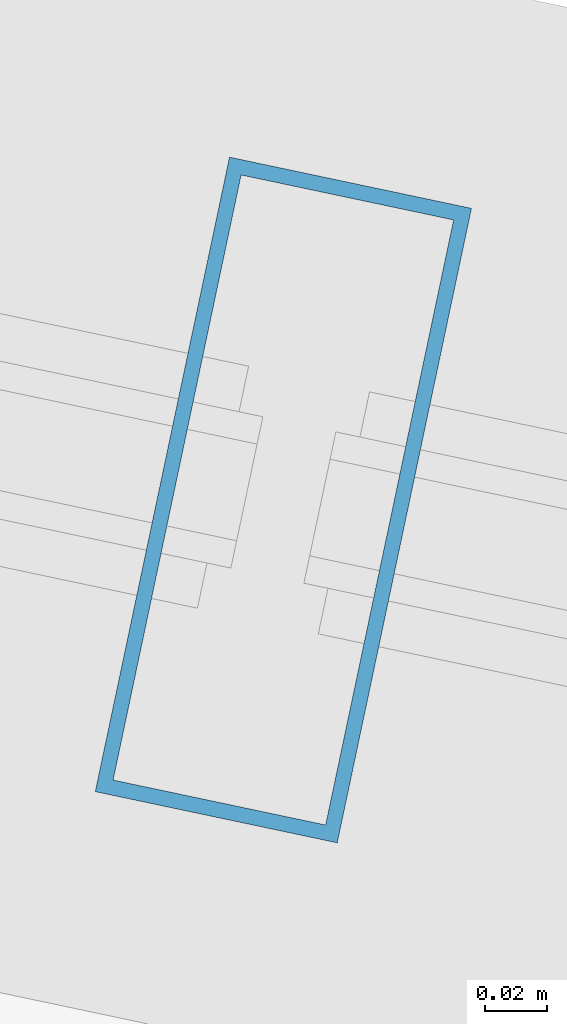
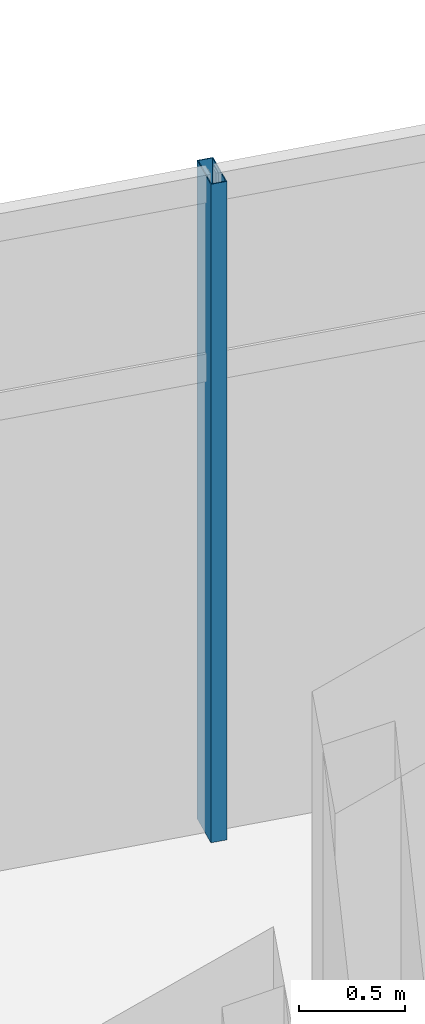
# One storey, part 117 of 171: 1 member, 1 element without a shape of its own.
"""IFC4 building model written with IfcOpenShell, lengths in metres."""

import ifcopenshell
import ifcopenshell.guid

model = None  # the IFC model being written
_history = None  # IfcOwnerHistory: only IFC2X3 demands one
_inside = {}  # id of a spatial element -> (the spatial element, [elements in it])
_under = {}  # id of a project, library or spatial element -> (it, [spatial elements below it])
_declared = {}  # id of a project -> (the project, [libraries it declares])
_typed = {}  # id of a type object -> (the type object, [elements of that type])
_made_of = {}  # id of a material, layer set ... -> (it, [elements and type objects made of it])


def new_model(schema):
    """Start an empty IFC model of exactly this schema.

    Asked for "IFC4X3", IfcOpenShell would pick the latest addendum, in which some entities
    have other attributes; the version numbers below select the first issue.
    IFC2X3 requires an IfcOwnerHistory on every rooted entity: one is made here for all.
    """
    global model, _history
    if schema == "IFC4X3":
        model = ifcopenshell.file(schema_version=(4, 3, 0, 0))
    else:
        model = ifcopenshell.file(schema=schema)
    _inside.clear()
    _under.clear()
    _declared.clear()
    _typed.clear()
    _made_of.clear()
    _history = None
    if model.schema == "IFC2X3":
        org = make("IfcOrganization", Name="unknown")
        user = make(
            "IfcPersonAndOrganization",
            ThePerson=make("IfcPerson", FamilyName="unknown"),
            TheOrganization=org,
        )
        app = make(
            "IfcApplication",
            ApplicationDeveloper=org,
            Version="unknown",
            ApplicationFullName="unknown",
            ApplicationIdentifier="unknown",
        )
        _history = make(
            "IfcOwnerHistory",
            OwningUser=user,
            OwningApplication=app,
            ChangeAction="ADDED",
            CreationDate=0,
        )
    return model


def make(cls, **values):
    """One entity of the class cls with the attributes given. An attribute that is None is left unset."""
    return model.create_entity(
        cls, **{name: value for name, value in values.items() if value is not None}
    )


def rooted(cls, **values):
    """An entity with a GlobalId (a new one), such as an element, a storey or a relation."""
    return make(cls, GlobalId=ifcopenshell.guid.new(), OwnerHistory=_history, **values)


def si_unit(unit_type, name, prefix=None):
    """IfcSIUnit, for example si_unit("LENGTHUNIT", "METRE", prefix="MILLI")."""
    return make("IfcSIUnit", UnitType=unit_type, Prefix=prefix, Name=name)


def assignment(units):
    """IfcUnitAssignment: the units of a project."""
    return None if units is None else make("IfcUnitAssignment", Units=units)


def point(xyz):
    """IfcCartesianPoint."""
    return None if xyz is None else make("IfcCartesianPoint", Coordinates=xyz)


def direction(xyz):
    """IfcDirection."""
    return None if xyz is None else make("IfcDirection", DirectionRatios=xyz)


def frame(location, z_axis=None, x_axis=None):
    """IfcAxis2Placement3D, a coordinate frame: its origin and axes. An axis left out is left unset."""
    return make(
        "IfcAxis2Placement3D",
        Location=point(location),
        Axis=direction(z_axis),
        RefDirection=direction(x_axis),
    )


def frame_2d(location, x_axis=None):
    """IfcAxis2Placement2D, a coordinate frame in the plane: its origin and x axis."""
    return make(
        "IfcAxis2Placement2D", Location=point(location), RefDirection=direction(x_axis)
    )


def origin():
    """The frame at (0, 0, 0) with its axes left unset."""
    return frame((0.0, 0.0, 0.0))


def origin_2d():
    """The frame at (0, 0) in the plane with its x axis left unset."""
    return frame_2d((0.0, 0.0))


def place(relative_to, where):
    """IfcLocalPlacement: puts the frame where relative to a parent placement (None: the world)."""
    return make(
        "IfcLocalPlacement", PlacementRelTo=relative_to, RelativePlacement=where
    )


def context(
    kind, dimensions, precision=None, world=None, true_north=None, identifier=None
):
    """IfcGeometricRepresentationContext, for example the 3D "Model" context."""
    return make(
        "IfcGeometricRepresentationContext",
        ContextIdentifier=identifier,
        ContextType=kind,
        CoordinateSpaceDimension=dimensions,
        Precision=precision,
        WorldCoordinateSystem=world,
        TrueNorth=true_north,
    )


def subcontext(parent, identifier, kind, view, scale=None):
    """IfcGeometricRepresentationSubContext, for example "Body" below "Model"."""
    return make(
        "IfcGeometricRepresentationSubContext",
        ContextIdentifier=identifier,
        ContextType=kind,
        ParentContext=parent,
        TargetScale=scale,
        TargetView=view,
    )


def project(units=None, contexts=None):
    """IfcProject with its units and contexts."""
    return rooted(
        "IfcProject",
        Name="project",
        RepresentationContexts=contexts,
        UnitsInContext=assignment(units),
    )


def spatial(cls, under=None, at=None, **own):
    """A site, building, storey or space (cls), placed at a placement, below another one or the project."""
    s = rooted(cls, ObjectPlacement=at, **own)
    if under is not None:
        _under.setdefault(under.id(), (under, []))[1].append(s)
    return s


def profile(cls, at=None, kind="AREA", **sizes):
    """A parametric profile (cls). Its sizes go by their IFC names, for example OverallWidth=200.0."""
    return make(cls, ProfileType=kind, Position=at, **sizes)


def hollow_rectangle(**sizes):
    """IfcRectangleHollowProfileDef."""
    return profile("IfcRectangleHollowProfileDef", **sizes)


def extrude(swept, where, along, depth):
    """IfcExtrudedAreaSolid: the profile swept, set in the frame where, extruded along a direction by depth."""
    return make(
        "IfcExtrudedAreaSolid",
        SweptArea=swept,
        Position=where,
        ExtrudedDirection=direction(along),
        Depth=depth,
    )


def shape(context_of_items, identifier, shape_type, items):
    """IfcShapeRepresentation: the items that make up one representation, for example the "Body"."""
    return make(
        "IfcShapeRepresentation",
        ContextOfItems=context_of_items,
        RepresentationIdentifier=identifier,
        RepresentationType=shape_type,
        Items=items,
    )


def material(Name=None, Category=None):
    """IfcMaterial."""
    return make("IfcMaterial", Name=Name, Category=Category)


def layer(
    of_material, thickness, ventilated=None, Name=None, Category=None, Priority=None
):
    """IfcMaterialLayer: one layer of a wall or slab, of a material (None: an air gap)."""
    return make(
        "IfcMaterialLayer",
        Material=of_material,
        LayerThickness=thickness,
        IsVentilated=ventilated,
        Name=Name,
        Category=Category,
        Priority=Priority,
    )


def layer_set(layers, Name=None):
    """IfcMaterialLayerSet."""
    return make("IfcMaterialLayerSet", MaterialLayers=layers, LayerSetName=Name)


def material_profile(
    of_material, cross_section, Name=None, Category=None, Priority=None
):
    """IfcMaterialProfile: a cross section and its material."""
    return make(
        "IfcMaterialProfile",
        Name=Name,
        Material=of_material,
        Profile=cross_section,
        Priority=Priority,
        Category=Category,
    )


def profile_set(profiles, Name=None, composite=None):
    """IfcMaterialProfileSet."""
    return make(
        "IfcMaterialProfileSet",
        Name=Name,
        MaterialProfiles=profiles,
        CompositeProfile=composite,
    )


def made_of(thing, what):
    """Note that an element or type object is made of a material, layer set ...; save() writes the relation."""
    if what is not None:
        _made_of.setdefault(what.id(), (what, []))[1].append(thing)
    return thing


def type_object(cls, material=None, **own):
    """A type object (cls), such as IfcWallType, which elements share."""
    return made_of(rooted(cls, **own), material)


def element(
    cls,
    number,
    at=None,
    inside=None,
    cuts=None,
    type_object=None,
    material=None,
    context=None,
    identifier="Body",
    shape_type=None,
    held_by="IfcProductDefinitionShape",
    body=None,
    shapes=None,
    **own,
):
    """One element of the class cls, such as IfcWall. Its Tag is "e" and its number.

    at: its placement. inside: the storey or other place that contains it. cuts: it is an
    opening in that element (IfcRelVoidsElement). A single representation is given by context,
    identifier, shape_type and body (its items); several are given by shapes. held_by: the class
    of the entity that holds the representations. save() writes the other relations.
    """
    e = rooted(cls, Tag="e%d" % number, ObjectPlacement=at, **own)
    if body is not None:
        shapes = [shape(context, identifier, shape_type, body)]
    if shapes is not None:
        e.Representation = make(held_by, Representations=shapes)
    if inside is not None:
        _inside.setdefault(inside.id(), (inside, []))[1].append(e)
    if cuts is not None:
        rooted(
            "IfcRelVoidsElement", RelatingBuildingElement=cuts, RelatedOpeningElement=e
        )
    if type_object is not None:
        _typed.setdefault(type_object.id(), (type_object, []))[1].append(e)
    return made_of(e, material)


def aggregate(whole, parts):
    """IfcRelAggregates: a whole, such as a stair, and the parts it consists of."""
    return rooted("IfcRelAggregates", RelatingObject=whole, RelatedObjects=parts)


def save(model, path):
    """Write the relations noted so far, then the file.

    IfcRelAggregates (storeys below a building ...), IfcRelContainedInSpatialStructure (elements
    in a storey), IfcRelDefinesByType, IfcRelAssociatesMaterial and IfcRelDeclares: one each for
    every whole, place, type object, material and project.
    """
    for whole, parts in _under.values():
        aggregate(whole, parts)
    for where, things in _inside.values():
        rooted(
            "IfcRelContainedInSpatialStructure",
            RelatedElements=things,
            RelatingStructure=where,
        )
    for kind, things in _typed.values():
        rooted("IfcRelDefinesByType", RelatedObjects=things, RelatingType=kind)
    for what, things in _made_of.values():
        rooted("IfcRelAssociatesMaterial", RelatedObjects=things, RelatingMaterial=what)
    for by, libraries in _declared.values():
        rooted("IfcRelDeclares", RelatingContext=by, RelatedDefinitions=libraries)
    model.write(path)


model = new_model("IFC4")

# Units and contexts
model_context = context("Model", 3, precision=1e-05, world=origin(), true_north=direction((0.0, 1.0)))
body_context = subcontext(model_context, "Body", "Model", "MODEL_VIEW")
ifc_project = project(units=[si_unit("LENGTHUNIT", "METRE"), si_unit("AREAUNIT", "SQUARE_METRE"), si_unit("VOLUMEUNIT", "CUBIC_METRE"), si_unit("PLANEANGLEUNIT", "RADIAN"), si_unit("MASSUNIT", "GRAM", prefix="KILO")], contexts=[model_context])

# Site, building, storey
site_placement = place(None, origin())
site = spatial("IfcSite", under=ifc_project, at=site_placement, CompositionType="ELEMENT")
building_placement = place(site_placement, origin())
building = spatial("IfcBuilding", under=site, at=building_placement, Name="Kazemori Nagisa Stadium", CompositionType="ELEMENT")
storey_placement = place(building_placement, frame((0.0, 0.0, 15.639892578125)))
storey = spatial("IfcBuildingStorey", under=building, at=storey_placement, Name="L03", CompositionType="ELEMENT", Elevation=15.639892578125)

# Curtain wall, member
ifc_material_1 = material(Name="Anodised aluminium 6063-T5", Category="aluminium")
ifc_layer = layer(ifc_material_1, 0.2099609375, Name="Anodised aluminium 6063-T5", Category="aluminium")
ifc_layer_set = layer_set([ifc_layer], Name="Anodised aluminium 6063-T5")
curtain_wall_type = type_object("IfcCurtainWallType", Name="CW_L03R3_105", PredefinedType="USERDEFINED", material=ifc_layer_set)
curtain_wall_placement = place(storey_placement, origin())
curtain_wall = element("IfcCurtainWall", 1, at=curtain_wall_placement, inside=storey, type_object=curtain_wall_type, Name="Unitised curtain wall CW-L03R3-105 L03", ObjectType="UNITISED CURTAIN WALL", PredefinedType="USERDEFINED")
ifc_material_2 = material(Name="Aluminium 6063-T5 anodised", Category="aluminium")
ifc_material_profile = material_profile(ifc_material_2, hollow_rectangle(XDim=0.080078125, YDim=0.2099609375, WallThickness=0.0048828125, at=origin_2d()), Name="ALU-MULL-80x210x5")
ifc_profile_set = profile_set([ifc_material_profile], Name="Aluminium 6063-T5 anodised")
member_type = type_object("IfcMemberType", Name="Mullion_M02", PredefinedType="MULLION", material=ifc_profile_set)
member_placement = place(storey_placement, frame((151.708251953125, 185.446533203125, 0.0), z_axis=(0.0, 0.0, 1.0), x_axis=(-0.978344955407, 0.206981033502, 0.0)))
member = element("IfcMember", 2, at=member_placement, type_object=member_type, Name="Curtain wall mullion CW-L03R3-105-M3", PredefinedType="MULLION", context=body_context, shape_type="SweptSolid", body=[
    extrude(hollow_rectangle(XDim=0.080078125, YDim=0.2099609375, WallThickness=0.0048828125, at=origin_2d()), origin(), (0.0, 0.0, 1.0), 3.81005859375),
])
aggregate(curtain_wall, [member])

save(model, "model.ifc")
